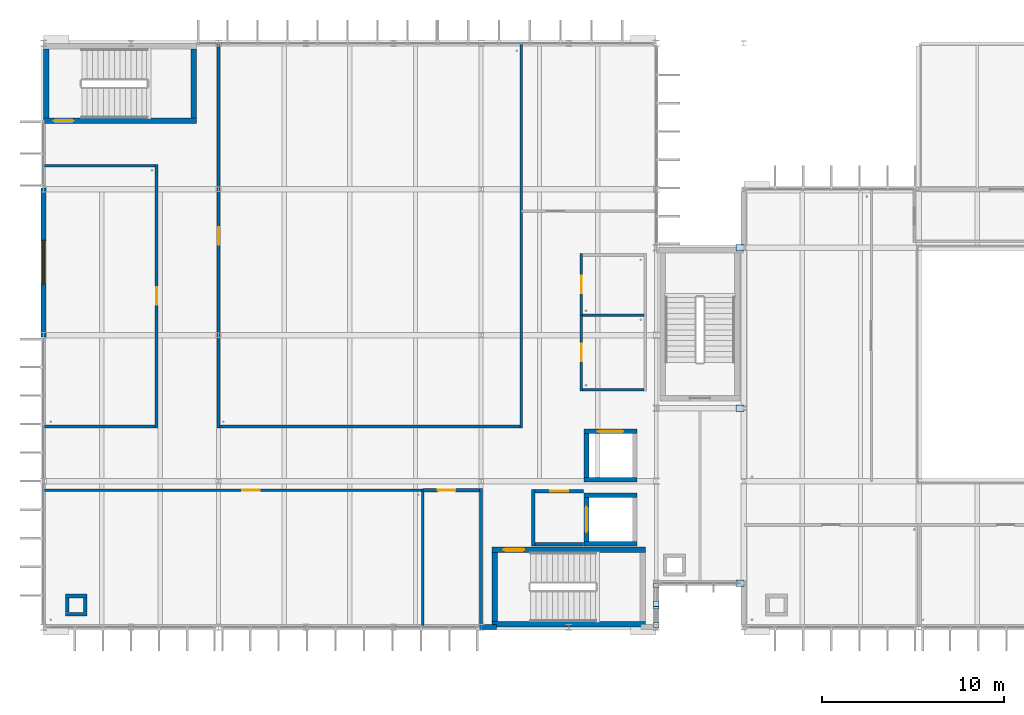
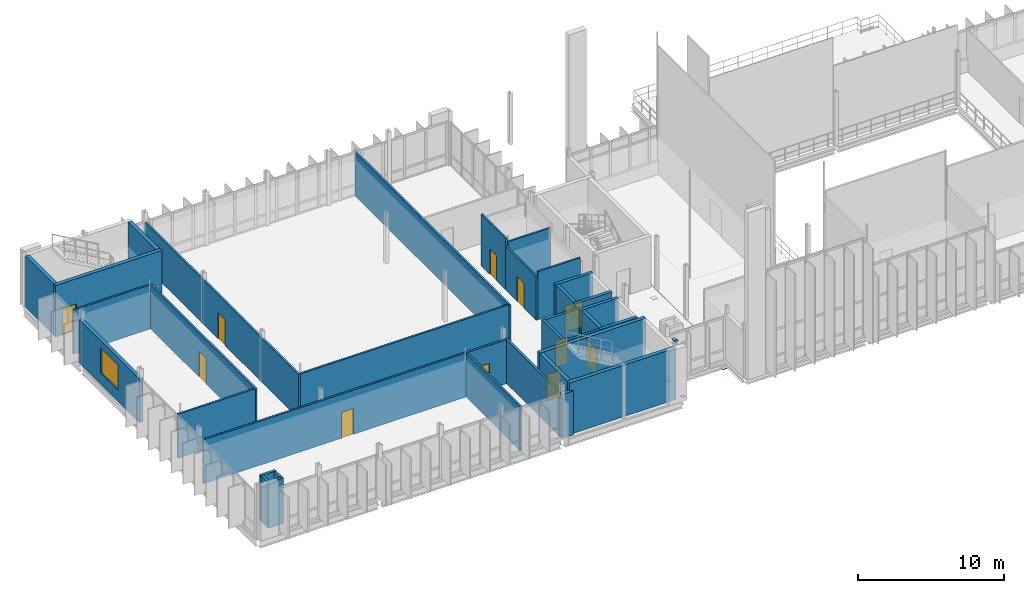
# One storey, part 22 of 41: 35 walls, 11 doors, 7 plates, 1 window, 12 openings.
"""IFC4 building model written with IfcOpenShell, lengths in metres."""

from ifc_helpers import new_model, si_unit, direction, frame, frame_2d, origin, origin_2d, place, context, subcontext, project, spatial, rectangle, extrude, material, layer, layer_set, type_object, element, fill, save


model = new_model("IFC4")

# Units and contexts
model_context = context("Model", 3, precision=1e-05, world=origin(), true_north=direction((0.0, 1.0)))
body_context = subcontext(model_context, "Body", "Model", "MODEL_VIEW")
ifc_project = project(units=[si_unit("LENGTHUNIT", "METRE"), si_unit("AREAUNIT", "SQUARE_METRE"), si_unit("VOLUMEUNIT", "CUBIC_METRE"), si_unit("PLANEANGLEUNIT", "RADIAN"), si_unit("MASSUNIT", "GRAM", prefix="KILO")], contexts=[model_context])

# Site, building, storey
site_placement = place(None, origin())
site = spatial("IfcSite", under=ifc_project, at=site_placement, CompositionType="ELEMENT")
building_placement = place(site_placement, origin())
building = spatial("IfcBuilding", under=site, at=building_placement, Name="Dunescarp Central Library", CompositionType="ELEMENT")
storey_placement = place(building_placement, frame((0.0, 0.0, 23.10009765625)))
storey = spatial("IfcBuildingStorey", under=building, at=storey_placement, Name="L05", CompositionType="ELEMENT", Elevation=23.10009765625)

# Plates
ifc_material_1 = material(Name="Steel S355J0", Category="steel")
ifc_layer_1 = layer(ifc_material_1, 0.02001953125)
ifc_layer_set_1 = layer_set([ifc_layer_1], Name="Steel S355J0")
plate_type_1 = type_object("IfcPlateType", Name="STR-PLT-GUS1", PredefinedType="USERDEFINED", material=ifc_layer_set_1)
for number, where, z_axis, x_axis, name in (
    (1, (33.60009765625, 4.919921875, -0.01806640625), (0.0, 0.0, 1.0), (1.0, 0.0, 0.0), "Brace foot gusset plate GP-021"),
    (2, (33.60009765625, 7.080078125, -0.01806640625), (0.0, 0.0, 1.0), (1.0, 0.0, 0.0), "Brace foot gusset plate GP-023"),
):
    element("IfcPlate", number, at=place(storey_placement, frame(where, z_axis=z_axis, x_axis=x_axis)), inside=storey, type_object=plate_type_1, Name=name, ObjectType="GUSSET_PLATE", PredefinedType="USERDEFINED", context=body_context, shape_type="SweptSolid", body=[
        extrude(rectangle(XDim=0.279052734375, YDim=0.279052734375, at=origin_2d()), origin(), (0.0, 0.0, 1.0), 0.035888671875),
    ])
ifc_layer_2 = layer(ifc_material_1, 0.01611328125)
ifc_layer_set_2 = layer_set([ifc_layer_2], Name="Steel S355J0")
plate_type_2 = type_object("IfcPlateType", Name="STR-PLT-GUS2", PredefinedType="USERDEFINED", material=ifc_layer_set_2)
for number, where, z_axis, x_axis, name in (
    (3, (33.60009765625, 5.919921875, 4.03173828125), (0.0, 0.0, 1.0), (1.0, 0.0, 0.0), "Brace apex gusset plate GP-022"),
    (4, (33.60009765625, 6.080078125, 4.03173828125), (0.0, 0.0, 1.0), (1.0, 0.0, 0.0), "Brace apex gusset plate GP-024"),
):
    element("IfcPlate", number, at=place(storey_placement, frame(where, z_axis=z_axis, x_axis=x_axis)), inside=storey, type_object=plate_type_2, Name=name, ObjectType="GUSSET_PLATE", PredefinedType="USERDEFINED", context=body_context, shape_type="SweptSolid", body=[
        extrude(rectangle(XDim=0.279052734375, YDim=0.279052734375, at=origin_2d()), origin(), (0.0, 0.0, 1.0), 0.035888671875),
    ])
ifc_layer_3 = layer(ifc_material_1, 0.0400390625)
ifc_layer_set_3 = layer_set([ifc_layer_3], Name="Steel S355J0")
plate_type_3 = type_object("IfcPlateType", Name="STR-PLT-SEAT420", PredefinedType="USERDEFINED", material=ifc_layer_set_3)
for number, where, z_axis, x_axis, name in (
    (5, (38.18994140625, 7.199951171875, -0.650146484375), (0.0, 0.0, 1.0), (1.0, 0.0, 0.0), "L05 GL1 420 mm sliding link bearing seat BRG-01"),
    (6, (38.18994140625, 16.800048828125, -0.650146484375), (0.0, 0.0, 1.0), (1.0, 0.0, 0.0), "L05 GL1 420 mm sliding link bearing seat BRG-01"),
    (7, (38.18994140625, 25.60009765625, -0.650146484375), (0.0, 0.0, 1.0), (1.0, 0.0, 0.0), "L05 GL1 420 mm sliding link bearing seat BRG-01"),
):
    element("IfcPlate", number, at=place(storey_placement, frame(where, z_axis=z_axis, x_axis=x_axis)), inside=storey, type_object=plate_type_3, Name=name, ObjectType="BASE_PLATE", PredefinedType="USERDEFINED", context=body_context, shape_type="SweptSolid", body=[
        extrude(rectangle(XDim=0.419921875, YDim=0.360107421875, at=origin_2d()), origin(), (0.0, 0.0, 1.0), 0.0400390625),
    ])

# Wall, opening, door
ifc_material_2 = material(Name="Gypsum plasterboard acoustic partition")
ifc_layer_4 = layer(ifc_material_2, 0.14990234375)
ifc_layer_set_4 = layer_set([ifc_layer_4], Name="Gypsum plasterboard acoustic partition")
wall_type_1 = type_object("IfcWallType", Name="ARC-PT-AC150", PredefinedType="PARTITIONING", material=ifc_layer_set_4)
wall_1_placement = place(storey_placement, frame((0.0400390625, 12.300048828125, 0.0), z_axis=(0.0, 0.0, 1.0), x_axis=(1.0, 0.0, 0.0)))
wall_1 = element("IfcWall", 8, at=wall_1_placement, inside=storey, type_object=wall_type_1, Name="L05 partition PT-L05-0122", PredefinedType="PARTITIONING", context=body_context, shape_type="SweptSolid", body=[
    extrude(rectangle(XDim=20.68505859375, YDim=0.14990234375, at=frame_2d((10.342529296875, 0.0))), origin(), (0.0, 0.0, 1.0), 3.661865234375),
])
opening_1_placement = place(wall_1_placement, frame((10.867919921875, 0.0, 0.0)))
opening_1 = element("IfcOpeningElement", 9, at=opening_1_placement, cuts=wall_1, Name="Opening DR-L05-0046", PredefinedType="OPENING", context=body_context, shape_type="SweptSolid", body=[
    extrude(rectangle(XDim=0.949951171875, YDim=2.14990234375, at=frame_2d((0.47509765625, 1.074951171875))), frame((0.0, 0.0849609375, 0.0), z_axis=(0.0, -1.0, 0.0), x_axis=(1.0, 0.0, 0.0)), (0.0, 0.0, 1.0), 0.169921875),
])
ifc_material_3 = material(Name="Hardwood solid-core timber leaf", Category="wood")
door_type_1 = type_object("IfcDoorType", Name="ARC-DR-INT950", OperationType="NOTDEFINED", PredefinedType="DOOR", material=ifc_material_3)
door_1_placement = place(opening_1_placement, origin())
door_1 = element("IfcDoor", 10, at=door_1_placement, inside=storey, type_object=door_type_1, Name="L05 interior door DR-L05-0046", OperationType="SINGLE_SWING_RIGHT", OverallHeight=2.14990234375, OverallWidth=0.949951171875, PredefinedType="DOOR", context=body_context, shape_type="SweptSolid", body=[
    extrude(rectangle(XDim=0.949951171875, YDim=2.14990234375, at=frame_2d((0.47509765625, 1.074951171875))), frame((0.0, 0.02490234375, 0.0), z_axis=(0.0, -1.0, 0.0), x_axis=(1.0, 0.0, 0.0)), (0.0, 0.0, 1.0), 0.050048828125),
])
fill(opening_1, door_1)

# Walls
wall_2_placement = place(storey_placement, frame((20.800048828125, 4.840087890625, 0.0), z_axis=(0.0, 0.0, 1.0), x_axis=(0.0, 1.0, 0.0)))
element("IfcWall", 11, at=wall_2_placement, inside=storey, type_object=wall_type_1, Name="L05 partition PT-L05-0123", PredefinedType="PARTITIONING", context=body_context, shape_type="SweptSolid", body=[
    extrude(rectangle(XDim=7.534912109375, YDim=0.14990234375, at=frame_2d((3.767578125, 0.0))), origin(), (0.0, 0.0, 1.0), 3.65283203125),
])
for number, where, z_axis, x_axis, name in (
    (12, (0.0400390625, 15.800048828125, 0.0), (0.0, 0.0, 1.0), (1.0, 0.0, 0.0), "L05 partition PT-L05-0126"),
    (13, (0.0400390625, 30.10009765625, 0.0), (0.0, 0.0, 1.0), (1.0, 0.0, 0.0), "L05 partition PT-L05-0127"),
):
    element("IfcWall", number, at=place(storey_placement, frame(where, z_axis=z_axis, x_axis=x_axis)), inside=storey, type_object=wall_type_1, Name=name, PredefinedType="PARTITIONING", context=body_context, shape_type="SweptSolid", body=[
        extrude(rectangle(XDim=6.0849609375, YDim=0.14990234375, at=frame_2d((3.04248046875, 0.0))), origin(), (0.0, 0.0, 1.0), 3.661865234375),
    ])

# Wall, opening, door
wall_3_placement = place(storey_placement, frame((6.199951171875, 15.72509765625, 0.0), z_axis=(0.0, 0.0, 1.0), x_axis=(0.0, 1.0, 0.0)))
wall_3 = element("IfcWall", 14, at=wall_3_placement, inside=storey, type_object=wall_type_1, Name="L05 partition PT-L05-0128", PredefinedType="PARTITIONING", context=body_context, shape_type="SweptSolid", body=[
    extrude(rectangle(XDim=14.449951171875, YDim=0.14990234375, at=frame_2d((7.22509765625, 0.0))), origin(), (0.0, 0.0, 1.0), 3.65283203125),
])
opening_2_placement = place(wall_3_placement, frame((6.75, 0.0, 0.0)))
opening_2 = element("IfcOpeningElement", 15, at=opening_2_placement, cuts=wall_3, Name="Opening DR-L05-0048", PredefinedType="OPENING", context=body_context, shape_type="SweptSolid", body=[
    extrude(rectangle(XDim=0.949951171875, YDim=2.14990234375, at=frame_2d((0.47509765625, 1.074951171875))), frame((0.0, 0.0849609375, 0.0), z_axis=(0.0, -1.0, 0.0), x_axis=(1.0, 0.0, 0.0)), (0.0, 0.0, 1.0), 0.169921875),
])
door_2_placement = place(opening_2_placement, origin())
door_2 = element("IfcDoor", 16, at=door_2_placement, inside=storey, type_object=door_type_1, Name="L05 interior door DR-L05-0048", OperationType="SINGLE_SWING_RIGHT", OverallHeight=2.14990234375, OverallWidth=0.949951171875, PredefinedType="DOOR", context=body_context, shape_type="SweptSolid", body=[
    extrude(rectangle(XDim=0.949951171875, YDim=2.14990234375, at=frame_2d((0.47509765625, 1.074951171875))), frame((0.0, 0.02490234375, 0.0), z_axis=(0.0, -1.0, 0.0), x_axis=(1.0, 0.0, 0.0)), (0.0, 0.0, 1.0), 0.050048828125),
])
fill(opening_2, door_2)

# Wall
wall_4_placement = place(storey_placement, frame((9.675048828125, 15.800048828125, 0.0), z_axis=(0.0, 0.0, 1.0), x_axis=(1.0, 0.0, 0.0)))
element("IfcWall", 17, at=wall_4_placement, inside=storey, type_object=wall_type_1, Name="L05 partition PT-L05-0129", PredefinedType="PARTITIONING", context=body_context, shape_type="SweptSolid", body=[
    extrude(rectangle(XDim=16.449951171875, YDim=0.14990234375, at=frame_2d((8.22509765625, 0.0))), origin(), (0.0, 0.0, 1.0), 3.661865234375),
])

# Wall, opening, door
wall_5_placement = place(storey_placement, frame((9.60009765625, 15.72509765625, 0.0), z_axis=(0.0, 0.0, 1.0), x_axis=(0.0, 1.0, 0.0)))
wall_5 = element("IfcWall", 18, at=wall_5_placement, inside=storey, type_object=wall_type_1, Name="L05 partition PT-L05-0130", PredefinedType="PARTITIONING", context=body_context, shape_type="SweptSolid", body=[
    extrude(rectangle(XDim=21.034912109375, YDim=0.14990234375, at=frame_2d((10.517578125, 0.0))), origin(), (0.0, 0.0, 1.0), 3.65283203125),
])
opening_3_placement = place(wall_5_placement, frame((10.0419921875, 0.0, 0.0)))
opening_3 = element("IfcOpeningElement", 19, at=opening_3_placement, cuts=wall_5, Name="Opening DR-L05-0049", PredefinedType="OPENING", context=body_context, shape_type="SweptSolid", body=[
    extrude(rectangle(XDim=0.949951171875, YDim=2.14990234375, at=frame_2d((0.47509765625, 1.074951171875))), frame((0.0, 0.0849609375, 0.0), z_axis=(0.0, -1.0, 0.0), x_axis=(1.0, 0.0, 0.0)), (0.0, 0.0, 1.0), 0.169921875),
])
door_3_placement = place(opening_3_placement, origin())
door_3 = element("IfcDoor", 20, at=door_3_placement, inside=storey, type_object=door_type_1, Name="L05 interior door DR-L05-0049", OperationType="SINGLE_SWING_LEFT", OverallHeight=2.14990234375, OverallWidth=0.949951171875, PredefinedType="DOOR", context=body_context, shape_type="SweptSolid", body=[
    extrude(rectangle(XDim=0.949951171875, YDim=2.14990234375, at=frame_2d((0.47509765625, 1.074951171875))), frame((0.0, 0.02490234375, 0.0), z_axis=(0.0, -1.0, 0.0), x_axis=(1.0, 0.0, 0.0)), (0.0, 0.0, 1.0), 0.050048828125),
])
fill(opening_3, door_3)

# Wall
wall_6_placement = place(storey_placement, frame((26.199951171875, 15.72509765625, 0.0), z_axis=(0.0, 0.0, 1.0), x_axis=(0.0, 1.0, 0.0)))
element("IfcWall", 21, at=wall_6_placement, inside=storey, type_object=wall_type_1, Name="L05 partition PT-L05-0131", PredefinedType="PARTITIONING", context=body_context, shape_type="SweptSolid", body=[
    extrude(rectangle(XDim=21.034912109375, YDim=0.14990234375, at=frame_2d((10.517578125, 0.0))), origin(), (0.0, 0.0, 1.0), 3.65283203125),
])

# Wall, opening, door
ifc_layer_5 = layer(ifc_material_2, 0.169921875)
ifc_layer_set_5 = layer_set([ifc_layer_5], Name="Gypsum plasterboard acoustic partition")
wall_type_2 = type_object("IfcWallType", Name="ARC-PT-AC175", PredefinedType="PARTITIONING", material=ifc_layer_set_5)
wall_7_placement = place(storey_placement, frame((20.800048828125, 12.300048828125, 0.0), z_axis=(0.0, 0.0, 1.0), x_axis=(1.0, 0.0, 0.0)))
wall_7 = element("IfcWall", 22, at=wall_7_placement, inside=storey, type_object=wall_type_2, Name="L05 partition PT-L05-0124", PredefinedType="PARTITIONING", context=body_context, shape_type="SweptSolid", body=[
    extrude(rectangle(XDim=3.114990234375, YDim=0.169921875, at=frame_2d((1.5576171875, 0.0))), origin(), (0.0, 0.0, 1.0), 3.661865234375),
])
opening_4_placement = place(wall_7_placement, frame((0.83203125, 0.0, 0.0)))
opening_4 = element("IfcOpeningElement", 23, at=opening_4_placement, cuts=wall_7, Name="Opening DR-L05-0047", PredefinedType="OPENING", context=body_context, shape_type="SweptSolid", body=[
    extrude(rectangle(XDim=0.949951171875, YDim=2.14990234375, at=frame_2d((0.47509765625, 1.074951171875))), frame((0.0, 0.094970703125, 0.0), z_axis=(0.0, -1.0, 0.0), x_axis=(1.0, 0.0, 0.0)), (0.0, 0.0, 1.0), 0.18994140625),
])
door_4_placement = place(opening_4_placement, origin())
door_4 = element("IfcDoor", 24, at=door_4_placement, inside=storey, type_object=door_type_1, Name="L05 interior door DR-L05-0047", OperationType="SINGLE_SWING_LEFT", OverallHeight=2.14990234375, OverallWidth=0.949951171875, PredefinedType="DOOR", context=body_context, shape_type="SweptSolid", body=[
    extrude(rectangle(XDim=0.949951171875, YDim=2.14990234375, at=frame_2d((0.47509765625, 1.074951171875))), frame((0.0, 0.02490234375, 0.0), z_axis=(0.0, -1.0, 0.0), x_axis=(1.0, 0.0, 0.0)), (0.0, 0.0, 1.0), 0.050048828125),
])
fill(opening_4, door_4)

# Walls
wall_8_placement = place(storey_placement, frame((24.0, 4.840087890625, 0.0), z_axis=(0.0, 0.0, 1.0), x_axis=(0.0, 1.0, 0.0)))
element("IfcWall", 25, at=wall_8_placement, inside=storey, type_object=wall_type_2, Name="L05 partition PT-L05-0125", PredefinedType="PARTITIONING", context=body_context, shape_type="SweptSolid", body=[
    extrude(rectangle(XDim=7.544921875, YDim=0.169921875, at=frame_2d((3.7724609375, 0.0))), origin(), (0.0, 0.0, 1.0), 3.65283203125),
])
ifc_material_4 = material(Name="Concrete C35/45", Category="concrete")
ifc_layer_6 = layer(ifc_material_4, 0.199951171875)
ifc_layer_set_6 = layer_set([ifc_layer_6], Name="Concrete C35/45")
wall_type_3 = type_object("IfcWallType", Name="ARC-PT-FIRE200", PredefinedType="PARTITIONING", material=ifc_layer_set_6)
wall_9_placement = place(storey_placement, frame((26.949951171875, 9.35009765625, 0.0), z_axis=(0.0, 0.0, 1.0), x_axis=(1.0, 0.0, 0.0)))
element("IfcWall", 26, at=wall_9_placement, inside=storey, type_object=wall_type_3, Name="L05 partition PT-L05-0112", PredefinedType="PARTITIONING", context=body_context, shape_type="SweptSolid", body=[
    extrude(rectangle(XDim=2.650146484375, YDim=0.199951171875, at=frame_2d((1.3251953125, 0.0))), origin(), (0.0, 0.0, 1.0), 4.289794921875),
])

# Wall, opening, door
wall_10_placement = place(storey_placement, frame((26.949951171875, 12.25, 0.0), z_axis=(0.0, 0.0, 1.0), x_axis=(1.0, 0.0, 0.0)))
wall_10 = element("IfcWall", 27, at=wall_10_placement, inside=storey, type_object=wall_type_3, Name="L05 partition PT-L05-0113", PredefinedType="PARTITIONING", context=body_context, shape_type="SweptSolid", body=[
    extrude(rectangle(XDim=2.650146484375, YDim=0.199951171875, at=frame_2d((1.3251953125, 0.0))), origin(), (0.0, 0.0, 1.0), 4.289794921875),
])
opening_5_placement = place(wall_10_placement, frame((0.824951171875, 0.0, 0.0)))
opening_5 = element("IfcOpeningElement", 28, at=opening_5_placement, cuts=wall_10, Name="Opening DR-L05-0043", PredefinedType="OPENING", context=body_context, shape_type="SweptSolid", body=[
    extrude(rectangle(XDim=1.0, YDim=2.199951171875, at=frame_2d((0.5, 1.10009765625))), frame((0.0, 0.10986328125, 0.0), z_axis=(0.0, -1.0, 0.0), x_axis=(1.0, 0.0, 0.0)), (0.0, 0.0, 1.0), 0.219970703125),
])
door_type_2 = type_object("IfcDoorType", Name="ARC-DR-INT1000", OperationType="NOTDEFINED", PredefinedType="DOOR", material=ifc_material_3)
door_5_placement = place(opening_5_placement, origin())
door_5 = element("IfcDoor", 29, at=door_5_placement, inside=storey, type_object=door_type_2, Name="L05 interior door DR-L05-0043", OperationType="SINGLE_SWING_LEFT", OverallHeight=2.199951171875, OverallWidth=1.0, PredefinedType="DOOR", context=body_context, shape_type="SweptSolid", body=[
    extrude(rectangle(XDim=1.0, YDim=2.199951171875, at=frame_2d((0.5, 1.10009765625))), frame((0.0, 0.02490234375, 0.0), z_axis=(0.0, -1.0, 0.0), x_axis=(1.0, 0.0, 0.0)), (0.0, 0.0, 1.0), 0.050048828125),
])
fill(opening_5, door_5)

# Walls
wall_11_placement = place(storey_placement, frame((26.85009765625, 9.25, 0.0), z_axis=(0.0, 0.0, 1.0), x_axis=(0.0, 1.0, 0.0)))
element("IfcWall", 30, at=wall_11_placement, inside=storey, type_object=wall_type_3, Name="L05 partition PT-L05-0114", PredefinedType="PARTITIONING", context=body_context, shape_type="SweptSolid", body=[
    extrude(rectangle(XDim=3.10009765625, YDim=0.199951171875, at=frame_2d((1.550048828125, 0.0))), origin(), (0.0, 0.0, 1.0), 4.289794921875),
])
ifc_material_5 = material(Name="Autoclaved aerated concrete block", Category="concrete")
ifc_layer_7 = layer(ifc_material_5, 0.139892578125)
ifc_layer_set_7 = layer_set([ifc_layer_7], Name="Autoclaved aerated concrete block")
wall_type_4 = type_object("IfcWallType", Name="ARC-PT-WET140", PredefinedType="PARTITIONING", material=ifc_layer_set_7)
for number, where, z_axis, x_axis, name in (
    (31, (29.570068359375, 17.800048828125, 0.0), (0.0, 0.0, 1.0), (1.0, 0.0, 0.0), "L05 partition PT-L05-0115"),
    (32, (29.570068359375, 21.89990234375, 0.0), (0.0, 0.0, 1.0), (1.0, 0.0, 0.0), "L05 partition PT-L05-0116"),
):
    element("IfcWall", number, at=place(storey_placement, frame(where, z_axis=z_axis, x_axis=x_axis)), inside=storey, type_object=wall_type_4, Name=name, PredefinedType="PARTITIONING", context=body_context, shape_type="SweptSolid", body=[
        extrude(rectangle(XDim=3.35986328125, YDim=0.139892578125, at=frame_2d((1.679931640625, 0.0))), origin(), (0.0, 0.0, 1.0), 3.994873046875),
    ])

# Wall, opening, door
wall_12_placement = place(storey_placement, frame((29.5, 17.72998046875, 0.0), z_axis=(0.0, 0.0, 1.0), x_axis=(0.0, 1.0, 0.0)))
wall_12 = element("IfcWall", 33, at=wall_12_placement, inside=storey, type_object=wall_type_4, Name="L05 partition PT-L05-0117", PredefinedType="PARTITIONING", context=body_context, shape_type="SweptSolid", body=[
    extrude(rectangle(XDim=4.239990234375, YDim=0.139892578125, at=frame_2d((2.1201171875, 0.0))), origin(), (0.0, 0.0, 1.0), 3.65283203125),
])
opening_6_placement = place(wall_12_placement, frame((1.64501953125, 0.0, 0.0)))
opening_6 = element("IfcOpeningElement", 34, at=opening_6_placement, cuts=wall_12, Name="Opening DR-L05-0044", PredefinedType="OPENING", context=body_context, shape_type="SweptSolid", body=[
    extrude(rectangle(XDim=0.949951171875, YDim=2.10009765625, at=frame_2d((0.47509765625, 1.050048828125))), frame((0.0, 0.080078125, 0.0), z_axis=(0.0, -1.0, 0.0), x_axis=(1.0, 0.0, 0.0)), (0.0, 0.0, 1.0), 0.159912109375),
])
door_type_3 = type_object("IfcDoorType", Name="ARC-DR-WC950", OperationType="NOTDEFINED", PredefinedType="DOOR", material=ifc_material_3)
door_6_placement = place(opening_6_placement, origin())
door_6 = element("IfcDoor", 35, at=door_6_placement, inside=storey, type_object=door_type_3, Name="L05 interior door DR-L05-0044", OperationType="SINGLE_SWING_RIGHT", OverallHeight=2.10009765625, OverallWidth=0.949951171875, PredefinedType="DOOR", context=body_context, shape_type="SweptSolid", body=[
    extrude(rectangle(XDim=0.949951171875, YDim=2.10009765625, at=frame_2d((0.47509765625, 1.050048828125))), frame((0.0, 0.02490234375, 0.0), z_axis=(0.0, -1.0, 0.0), x_axis=(1.0, 0.0, 0.0)), (0.0, 0.0, 1.0), 0.050048828125),
])
fill(opening_6, door_6)

wall_13_placement = place(storey_placement, frame((29.5, 21.89990234375, 0.0), z_axis=(0.0, 0.0, 1.0), x_axis=(0.0, 1.0, 0.0)))
wall_13 = element("IfcWall", 36, at=wall_13_placement, inside=storey, type_object=wall_type_4, Name="L05 partition PT-L05-0120", PredefinedType="PARTITIONING", context=body_context, shape_type="SweptSolid", body=[
    extrude(rectangle(XDim=3.3701171875, YDim=0.139892578125, at=frame_2d((1.68505859375, 0.0))), origin(), (0.0, 0.0, 1.0), 4.289794921875),
])
opening_7_placement = place(wall_13_placement, frame((1.2099609375, 0.0, 0.0)))
opening_7 = element("IfcOpeningElement", 37, at=opening_7_placement, cuts=wall_13, Name="Opening DR-L05-0045", PredefinedType="OPENING", context=body_context, shape_type="SweptSolid", body=[
    extrude(rectangle(XDim=0.949951171875, YDim=2.10009765625, at=frame_2d((0.47509765625, 1.050048828125))), frame((0.0, 0.080078125, 0.0), z_axis=(0.0, -1.0, 0.0), x_axis=(1.0, 0.0, 0.0)), (0.0, 0.0, 1.0), 0.159912109375),
])
door_7_placement = place(opening_7_placement, origin())
door_7 = element("IfcDoor", 38, at=door_7_placement, inside=storey, type_object=door_type_3, Name="L05 interior door DR-L05-0045", OperationType="SINGLE_SWING_LEFT", OverallHeight=2.10009765625, OverallWidth=0.949951171875, PredefinedType="DOOR", context=body_context, shape_type="SweptSolid", body=[
    extrude(rectangle(XDim=0.949951171875, YDim=2.10009765625, at=frame_2d((0.47509765625, 1.050048828125))), frame((0.0, 0.02490234375, 0.0), z_axis=(0.0, -1.0, 0.0), x_axis=(1.0, 0.0, 0.0)), (0.0, 0.0, 1.0), 0.050048828125),
])
fill(opening_7, door_7)

# Wall
ifc_material_6 = material(Name="Glass-fibre reinforced concrete GRC", Category="concrete")
ifc_layer_8 = layer(ifc_material_6, 0.280029296875)
ifc_layer_set_8 = layer_set([ifc_layer_8], Name="Glass-fibre reinforced concrete GRC")
wall_type_5 = type_object("IfcWallType", Name="ARC-WL-GRC280", PredefinedType="SOLIDWALL", material=ifc_layer_set_8)
wall_14_placement = place(storey_placement, frame((24.8349609375, 4.800048828125, 0.0), z_axis=(0.0, 0.0, 1.0), x_axis=(-1.0, 0.0, 0.0)))
element("IfcWall", 39, at=wall_14_placement, inside=storey, type_object=wall_type_5, Name="L05 external wall EW-V1-022", PredefinedType="SOLIDWALL", context=body_context, shape_type="SweptSolid", body=[
    extrude(rectangle(XDim=0.919921875, YDim=0.280029296875, at=frame_2d((0.4599609375, 0.0))), origin(), (0.0, 0.0, 1.0), 3.65283203125),
])

# Wall, opening, window
wall_15_placement = place(storey_placement, frame((0.0, 20.715087890625, 0.0), z_axis=(0.0, 0.0, 1.0), x_axis=(0.0, 1.0, 0.0)))
wall_15 = element("IfcWall", 40, at=wall_15_placement, inside=storey, type_object=wall_type_5, Name="L05 external wall EW-V1-024", PredefinedType="SOLIDWALL", context=body_context, shape_type="SweptSolid", body=[
    extrude(rectangle(XDim=8.169921875, YDim=0.280029296875, at=frame_2d((4.0849609375, 0.0))), origin(), (0.0, 0.0, 1.0), 3.65283203125),
])
opening_8_placement = place(wall_15_placement, frame((2.885009765625, 0.0, 0.949951171875)))
opening_8 = element("IfcOpeningElement", 41, at=opening_8_placement, cuts=wall_15, Name="Opening WN-006", PredefinedType="OPENING", context=body_context, shape_type="SweptSolid", body=[
    extrude(rectangle(XDim=2.39990234375, YDim=2.10009765625, at=frame_2d((1.199951171875, 1.050048828125))), frame((0.0, 0.14990234375, 0.0), z_axis=(0.0, -1.0, 0.0), x_axis=(1.0, 0.0, 0.0)), (0.0, 0.0, 1.0), 0.300048828125),
])
ifc_material_7 = material(Name="Solar-control laminated double glazing", Category="glass")
window_type = type_object("IfcWindowType", Name="ARC-WN-2400X2100", PartitioningType="SINGLE_PANEL", PredefinedType="WINDOW", material=ifc_material_7)
window_placement = place(opening_8_placement, origin())
window = element("IfcWindow", 42, at=window_placement, inside=storey, type_object=window_type, Name="L05 window WN-006", OverallHeight=2.10009765625, OverallWidth=2.39990234375, PartitioningType="SINGLE_PANEL", PredefinedType="WINDOW", context=body_context, shape_type="SweptSolid", body=[
    extrude(rectangle(XDim=2.39990234375, YDim=2.10009765625, at=frame_2d((1.199951171875, 1.050048828125))), frame((0.0, 0.030029296875, 0.0), z_axis=(0.0, -1.0, 0.0), x_axis=(1.0, 0.0, 0.0)), (0.0, 0.0, 1.0), 0.06005859375),
])
fill(opening_8, window)

# Walls
ifc_layer_9 = layer(ifc_material_4, 0.199951171875)
ifc_layer_set_9 = layer_set([ifc_layer_9], Name="Concrete C35/45")
wall_type_6 = type_object("IfcWallType", Name="ARC-WL-RISER200", PredefinedType="PARTITIONING", material=ifc_layer_set_9)
for number, where, z_axis, x_axis, name in (
    (43, (2.39990234375, 5.5, 0.0), (0.0, 0.0, 1.0), (-1.0, 0.0, 0.0), "L05 V1 duct shaft wall S"),
    (44, (1.199951171875, 6.5, 0.0), (0.0, 0.0, 1.0), (1.0, 0.0, 0.0), "L05 V1 duct shaft wall N"),
):
    element("IfcWall", number, at=place(storey_placement, frame(where, z_axis=z_axis, x_axis=x_axis)), inside=storey, type_object=wall_type_6, Name=name, PredefinedType="PARTITIONING", context=body_context, shape_type="SweptSolid", body=[
        extrude(rectangle(XDim=1.199951171875, YDim=0.199951171875, at=frame_2d((0.60009765625, 0.0))), origin(), (0.0, 0.0, 1.0), 3.789794921875),
    ])
for number, where, z_axis, x_axis, name in (
    (45, (1.300048828125, 5.6201171875, 0.0), (0.0, 0.0, 1.0), (0.0, 1.0, 0.0), "L05 V1 duct shaft wall W"),
    (46, (2.300048828125, 6.3798828125, 0.0), (0.0, 0.0, 1.0), (0.0, -1.0, 0.0), "L05 V1 duct shaft wall E"),
):
    element("IfcWall", number, at=place(storey_placement, frame(where, z_axis=z_axis, x_axis=x_axis)), inside=storey, type_object=wall_type_6, Name=name, PredefinedType="PARTITIONING", context=body_context, shape_type="SweptSolid", body=[
        extrude(rectangle(XDim=0.759765625, YDim=0.199951171875, at=frame_2d((0.3798828125, 0.0))), origin(), (0.0, 0.0, 1.0), 3.789794921875),
    ])
ifc_material_8 = material(Name="Concrete C40/50", Category="concrete")
ifc_layer_10 = layer(ifc_material_8, 0.25)
ifc_layer_set_10 = layer_set([ifc_layer_10], Name="Concrete C40/50")
wall_type_7 = type_object("IfcWallType", Name="STR-WL-CORE250", PredefinedType="SHEAR", material=ifc_layer_set_10)
for number, where, z_axis, x_axis, name in (
    (47, (32.550048828125, 9.375, 0.0), (0.0, 0.0, 1.0), (-1.0, 0.0, 0.0), "L05 FFL-1 lift shaft wall S"),
    (48, (29.64990234375, 12.02490234375, 0.0), (0.0, 0.0, 1.0), (1.0, 0.0, 0.0), "L05 FFL-1 lift shaft wall N"),
):
    element("IfcWall", number, at=place(storey_placement, frame(where, z_axis=z_axis, x_axis=x_axis)), inside=storey, type_object=wall_type_7, Name=name, PredefinedType="SHEAR", context=body_context, shape_type="SweptSolid", body=[
        extrude(rectangle(XDim=2.900146484375, YDim=0.25, at=frame_2d((1.4501953125, 0.0))), origin(), (0.0, 0.0, 1.0), 4.289794921875),
    ])

# Wall, opening, door
wall_16_placement = place(storey_placement, frame((29.77490234375, 9.5, 0.0), z_axis=(0.0, 0.0, 1.0), x_axis=(0.0, 1.0, 0.0)))
wall_16 = element("IfcWall", 49, at=wall_16_placement, inside=storey, type_object=wall_type_7, Name="L05 FFL-1 lift shaft wall W", PredefinedType="SHEAR", context=body_context, shape_type="SweptSolid", body=[
    extrude(rectangle(XDim=2.39990234375, YDim=0.25, at=frame_2d((1.199951171875, 0.0))), origin(), (0.0, 0.0, 1.0), 4.289794921875),
])
opening_9_placement = place(wall_16_placement, frame((0.5, 0.0, 0.0)))
opening_9 = element("IfcOpeningElement", 50, at=opening_9_placement, cuts=wall_16, Name="Opening LD-FFL-1-L05", PredefinedType="OPENING", context=body_context, shape_type="SweptSolid", body=[
    extrude(rectangle(XDim=1.39990234375, YDim=2.199951171875, at=frame_2d((0.699951171875, 1.10009765625))), frame((0.0, 0.135009765625, 0.0), z_axis=(0.0, -1.0, 0.0), x_axis=(1.0, 0.0, 0.0)), (0.0, 0.0, 1.0), 0.27001953125),
])
ifc_material_9 = material(Name="Stainless steel Grade 316L", Category="steel")
door_type_4 = type_object("IfcDoorType", Name="ARC-DR-LD1400", OperationType="DOUBLE_DOOR_SLIDING", PredefinedType="DOOR", material=ifc_material_9)
door_8_placement = place(opening_9_placement, origin())
door_8 = element("IfcDoor", 51, at=door_8_placement, inside=storey, type_object=door_type_4, Name="L05 FFL-1 lift landing door", OperationType="DOUBLE_DOOR_SLIDING", OverallHeight=2.199951171875, OverallWidth=1.39990234375, PredefinedType="DOOR", context=body_context, shape_type="SweptSolid", body=[
    extrude(rectangle(XDim=1.39990234375, YDim=2.199951171875, at=frame_2d((0.699951171875, 1.10009765625))), frame((0.0, 0.02490234375, 0.0), z_axis=(0.0, -1.0, 0.0), x_axis=(1.0, 0.0, 0.0)), (0.0, 0.0, 1.0), 0.050048828125),
])
fill(opening_9, door_8)

# Wall
wall_17_placement = place(storey_placement, frame((32.550048828125, 12.875, 0.0), z_axis=(0.0, 0.0, 1.0), x_axis=(-1.0, 0.0, 0.0)))
element("IfcWall", 52, at=wall_17_placement, inside=storey, type_object=wall_type_7, Name="L05 SL-1 lift shaft wall S", PredefinedType="SHEAR", context=body_context, shape_type="SweptSolid", body=[
    extrude(rectangle(XDim=2.900146484375, YDim=0.25, at=frame_2d((1.4501953125, 0.0))), origin(), (0.0, 0.0, 1.0), 4.289794921875),
])

# Wall, opening, door
wall_18_placement = place(storey_placement, frame((29.64990234375, 15.52490234375, 0.0), z_axis=(0.0, 0.0, 1.0), x_axis=(1.0, 0.0, 0.0)))
wall_18 = element("IfcWall", 53, at=wall_18_placement, inside=storey, type_object=wall_type_7, Name="L05 SL-1 lift shaft wall N", PredefinedType="SHEAR", context=body_context, shape_type="SweptSolid", body=[
    extrude(rectangle(XDim=2.900146484375, YDim=0.25, at=frame_2d((1.4501953125, 0.0))), origin(), (0.0, 0.0, 1.0), 4.289794921875),
])
opening_10_placement = place(wall_18_placement, frame((0.75, 0.0, 0.0)))
opening_10 = element("IfcOpeningElement", 54, at=opening_10_placement, cuts=wall_18, Name="Opening LD-SL-1-L05", PredefinedType="OPENING", context=body_context, shape_type="SweptSolid", body=[
    extrude(rectangle(XDim=1.39990234375, YDim=2.199951171875, at=frame_2d((0.699951171875, 1.10009765625))), frame((0.0, 0.135009765625, 0.0), z_axis=(0.0, -1.0, 0.0), x_axis=(1.0, 0.0, 0.0)), (0.0, 0.0, 1.0), 0.27001953125),
])
door_9_placement = place(opening_10_placement, origin())
door_9 = element("IfcDoor", 55, at=door_9_placement, inside=storey, type_object=door_type_4, Name="L05 SL-1 lift landing door", OperationType="DOUBLE_DOOR_SLIDING", OverallHeight=2.199951171875, OverallWidth=1.39990234375, PredefinedType="DOOR", context=body_context, shape_type="SweptSolid", body=[
    extrude(rectangle(XDim=1.39990234375, YDim=2.199951171875, at=frame_2d((0.699951171875, 1.10009765625))), frame((0.0, 0.02490234375, 0.0), z_axis=(0.0, -1.0, 0.0), x_axis=(1.0, 0.0, 0.0)), (0.0, 0.0, 1.0), 0.050048828125),
])
fill(opening_10, door_9)

# Walls
wall_19_placement = place(storey_placement, frame((29.77490234375, 13.0, 0.0), z_axis=(0.0, 0.0, 1.0), x_axis=(0.0, 1.0, 0.0)))
element("IfcWall", 56, at=wall_19_placement, inside=storey, type_object=wall_type_7, Name="L05 SL-1 lift shaft wall W", PredefinedType="SHEAR", context=body_context, shape_type="SweptSolid", body=[
    extrude(rectangle(XDim=2.39990234375, YDim=0.25, at=frame_2d((1.199951171875, 0.0))), origin(), (0.0, 0.0, 1.0), 4.289794921875),
])
ifc_layer_11 = layer(ifc_material_8, 0.300048828125)
ifc_layer_set_11 = layer_set([ifc_layer_11], Name="Concrete C40/50")
wall_type_8 = type_object("IfcWallType", Name="STR-WL-CORE300", PredefinedType="SHEAR", material=ifc_layer_set_11)
wall_20_placement = place(storey_placement, frame((33.0, 4.949951171875, 0.0), z_axis=(0.0, 0.0, 1.0), x_axis=(-1.0, 0.0, 0.0)))
element("IfcWall", 57, at=wall_20_placement, inside=storey, type_object=wall_type_8, Name="L05 ST-1 south core wall", PredefinedType="SHEAR", context=body_context, shape_type="SweptSolid", body=[
    extrude(rectangle(XDim=8.39990234375, YDim=0.300048828125, at=frame_2d((4.199951171875, 0.0))), origin(), (0.0, 0.0, 1.0), 4.289794921875),
])

# Wall, opening, door
wall_21_placement = place(storey_placement, frame((24.60009765625, 9.050048828125, 0.0), z_axis=(0.0, 0.0, 1.0), x_axis=(1.0, 0.0, 0.0)))
wall_21 = element("IfcWall", 58, at=wall_21_placement, inside=storey, type_object=wall_type_8, Name="L05 ST-1 north core wall", PredefinedType="SHEAR", context=body_context, shape_type="SweptSolid", body=[
    extrude(rectangle(XDim=8.39990234375, YDim=0.300048828125, at=frame_2d((4.199951171875, 0.0))), origin(), (0.0, 0.0, 1.0), 4.289794921875),
])
opening_11_placement = place(wall_21_placement, frame((0.64990234375, 0.0, 0.0)))
opening_11 = element("IfcOpeningElement", 59, at=opening_11_placement, cuts=wall_21, Name="Opening D-ST-1-L05", PredefinedType="OPENING", context=body_context, shape_type="SweptSolid", body=[
    extrude(rectangle(XDim=1.10009765625, YDim=2.199951171875, at=frame_2d((0.550048828125, 1.10009765625))), frame((0.0, 0.16015625, 0.0), z_axis=(0.0, -1.0, 0.0), x_axis=(1.0, 0.0, 0.0)), (0.0, 0.0, 1.0), 0.320068359375),
])
ifc_material_10 = material(Name="Galvanised steel FD120S", Category="steel")
door_type_5 = type_object("IfcDoorType", Name="ARC-DR-STAIR", OperationType="NOTDEFINED", PredefinedType="DOOR", material=ifc_material_10)
door_10_placement = place(opening_11_placement, origin())
door_10 = element("IfcDoor", 60, at=door_10_placement, inside=storey, type_object=door_type_5, Name="L05 ST-1 fire stair door", OperationType="SINGLE_SWING_LEFT", OverallHeight=2.199951171875, OverallWidth=1.10009765625, PredefinedType="DOOR", context=body_context, shape_type="SweptSolid", body=[
    extrude(rectangle(XDim=1.10009765625, YDim=2.199951171875, at=frame_2d((0.550048828125, 1.10009765625))), frame((0.0, 0.02490234375, 0.0), z_axis=(0.0, -1.0, 0.0), x_axis=(1.0, 0.0, 0.0)), (0.0, 0.0, 1.0), 0.050048828125),
])
fill(opening_11, door_10)

# Wall
wall_22_placement = place(storey_placement, frame((24.75, 5.10009765625, 0.0), z_axis=(0.0, 0.0, 1.0), x_axis=(0.0, 1.0, 0.0)))
element("IfcWall", 61, at=wall_22_placement, inside=storey, type_object=wall_type_8, Name="L05 ST-1 west core wall", PredefinedType="SHEAR", context=body_context, shape_type="SweptSolid", body=[
    extrude(rectangle(XDim=3.7998046875, YDim=0.300048828125, at=frame_2d((1.89990234375, 0.0))), origin(), (0.0, 0.0, 1.0), 4.289794921875),
])

# Wall, opening, door
wall_23_placement = place(storey_placement, frame((8.39990234375, 32.550048828125, 0.0), z_axis=(0.0, 0.0, 1.0), x_axis=(-1.0, 0.0, 0.0)))
wall_23 = element("IfcWall", 62, at=wall_23_placement, inside=storey, type_object=wall_type_8, Name="L05 ST-6 south core wall", PredefinedType="SHEAR", context=body_context, shape_type="SweptSolid", body=[
    extrude(rectangle(XDim=8.39990234375, YDim=0.300048828125, at=frame_2d((4.199951171875, 0.0))), origin(), (0.0, 0.0, 1.0), 4.289794921875),
])
opening_12_placement = place(wall_23_placement, frame((6.75, 0.0, 0.0)))
opening_12 = element("IfcOpeningElement", 63, at=opening_12_placement, cuts=wall_23, Name="Opening D-ST-6-L05", PredefinedType="OPENING", context=body_context, shape_type="SweptSolid", body=[
    extrude(rectangle(XDim=1.10009765625, YDim=2.199951171875, at=frame_2d((0.550048828125, 1.10009765625))), frame((0.0, 0.16015625, 0.0), z_axis=(0.0, -1.0, 0.0), x_axis=(1.0, 0.0, 0.0)), (0.0, 0.0, 1.0), 0.320068359375),
])
door_11_placement = place(opening_12_placement, origin())
door_11 = element("IfcDoor", 64, at=door_11_placement, inside=storey, type_object=door_type_5, Name="L05 ST-6 fire stair door", OperationType="SINGLE_SWING_RIGHT", OverallHeight=2.199951171875, OverallWidth=1.10009765625, PredefinedType="DOOR", context=body_context, shape_type="SweptSolid", body=[
    extrude(rectangle(XDim=1.10009765625, YDim=2.199951171875, at=frame_2d((0.550048828125, 1.10009765625))), frame((0.0, 0.02490234375, 0.0), z_axis=(0.0, -1.0, 0.0), x_axis=(1.0, 0.0, 0.0)), (0.0, 0.0, 1.0), 0.050048828125),
])
fill(opening_12, door_11)

# Walls
for number, where, z_axis, x_axis, name in (
    (65, (0.14990234375, 32.699951171875, 0.0), (0.0, 0.0, 1.0), (0.0, 1.0, 0.0), "L05 ST-6 west core wall"),
    (66, (8.25, 36.5, 0.0), (0.0, 0.0, 1.0), (0.0, -1.0, 0.0), "L05 ST-6 east core wall"),
):
    element("IfcWall", number, at=place(storey_placement, frame(where, z_axis=z_axis, x_axis=x_axis)), inside=storey, type_object=wall_type_8, Name=name, PredefinedType="SHEAR", context=body_context, shape_type="SweptSolid", body=[
        extrude(rectangle(XDim=3.800048828125, YDim=0.300048828125, at=frame_2d((1.89990234375, 0.0))), origin(), (0.0, 0.0, 1.0), 4.289794921875),
    ])

save(model, "model.ifc")
